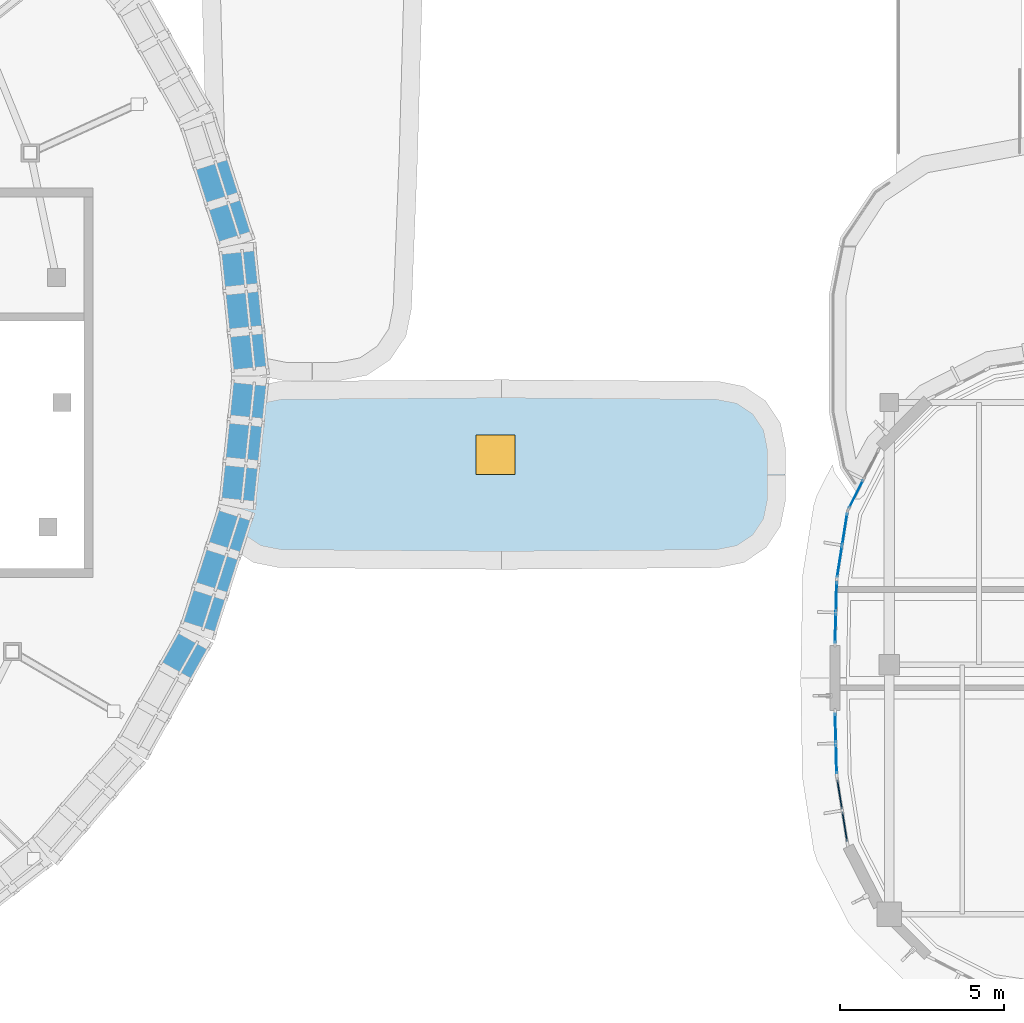
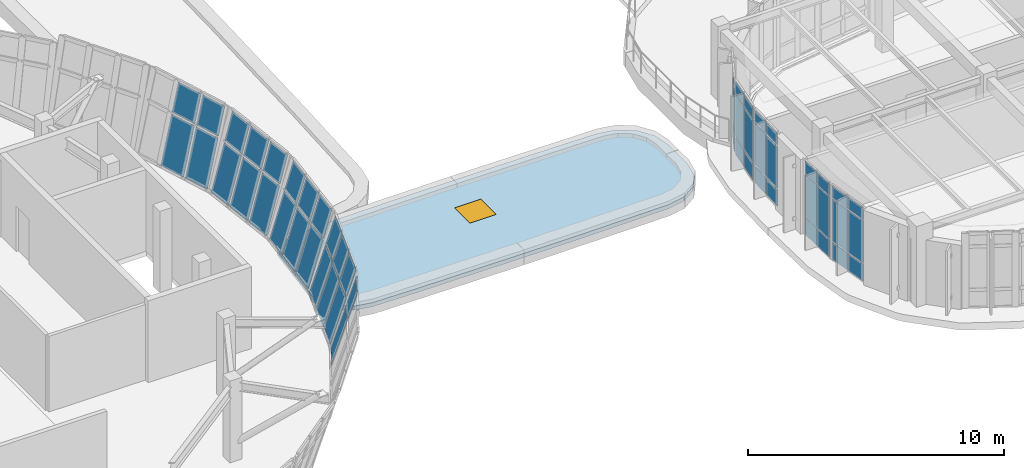
# One storey, part 64 of 111: 50 plates, 1 door, 1 slab, 1 opening, 10 elements without a shape of their own.
"""IFC4 building model written with IfcOpenShell, lengths in metres."""

from ifc_helpers import new_model, si_unit, direction, frame, origin, origin_2d, place, context, subcontext, project, spatial, polyline, rectangle, outline, extrude, material, layer, layer_set, type_object, element, fill, aggregate, save


model = new_model("IFC4")

# Units and contexts
model_context = context("Model", 3, precision=1e-05, world=origin(), true_north=direction((0.0, 1.0)))
body_context = subcontext(model_context, "Body", "Model", "MODEL_VIEW")
ifc_project = project(units=[si_unit("LENGTHUNIT", "METRE"), si_unit("AREAUNIT", "SQUARE_METRE"), si_unit("VOLUMEUNIT", "CUBIC_METRE"), si_unit("PLANEANGLEUNIT", "RADIAN"), si_unit("MASSUNIT", "GRAM", prefix="KILO")], contexts=[model_context])

# Site, building, storey
site_placement = place(None, origin())
site = spatial("IfcSite", under=ifc_project, at=site_placement, CompositionType="ELEMENT")
building_placement = place(site_placement, origin())
building = spatial("IfcBuilding", under=site, at=building_placement, Name="Corveleigh Park Community Centre", CompositionType="ELEMENT")
storey_placement = place(building_placement, frame((0.0, 0.0, 4.800048828125)))
storey = spatial("IfcBuildingStorey", under=building, at=storey_placement, Name="L01", CompositionType="ELEMENT", Elevation=4.800048828125)

# Curtain wall, plates
ifc_material_1 = material(Name="Anodised aluminium 6063-T6", Category="aluminium")
curtain_wall_type_1 = type_object("IfcCurtainWallType", Name="CW-SYS-V1-DRUM", PredefinedType="NOTDEFINED", material=ifc_material_1)
curtain_wall_1_placement = place(storey_placement, origin())
curtain_wall_1 = element("IfcCurtainWall", 1, at=curtain_wall_1_placement, inside=storey, type_object=curtain_wall_type_1, Name="Main Hall Flared Drum CW 162", PredefinedType="NOTDEFINED")
ifc_material_2 = material(Name="Low-E double glazing", Category="glass")
ifc_layer_1 = layer(ifc_material_2, 0.02392578125, Name="Low-E double glazing", Category="glass")
ifc_layer_set_1 = layer_set([ifc_layer_1], Name="Low-E double glazing")
plate_type_1 = type_object("IfcPlateType", Name="CWP-GLZ-24", PredefinedType="CURTAIN_PANEL", material=ifc_layer_set_1)
plate_1_placement = place(storey_placement, frame((52.01171875, 27.7138671875, 0.079833984375), z_axis=(-0.953739400317, -0.098496001427, 0.284041711701), x_axis=(-0.102727134425, 0.994709573621, 0.0)))
plate_1 = element("IfcPlate", 2, at=plate_1_placement, type_object=plate_type_1, Name="CW02 panel 1.1", PredefinedType="CURTAIN_PANEL", context=body_context, shape_type="SweptSolid", body=[
    extrude(outline(polyline([(0.0, 0.0), (1.1621541503486827, 0.0), (1.1622716513197366, -2.2216316874370996), (0.00011750097105400759, -2.221631687437099), (0.0, 0.0)])), origin(), (0.0, 0.0, -1.0), 0.02392578125),
])
plate_2_placement = place(storey_placement, frame((52.6630859375, 27.78125, 2.2900390625), z_axis=(-0.953718688024, -0.098695281337, 0.284042084127), x_axis=(-0.102934986728, 0.994688086039, 0.0)))
plate_2 = element("IfcPlate", 3, at=plate_2_placement, type_object=plate_type_1, Name="CW02 panel 1.2", PredefinedType="CURTAIN_PANEL", context=body_context, shape_type="SweptSolid", body=[
    extrude(outline(polyline([(0.0, 0.0), (1.1621792555883552, -6.938893903907228e-18), (1.162149252714852, -1.2952941770119886), (-3.0002873503331317e-05, -1.2952941770119886), (0.0, 0.0)])), origin(), (0.0, 0.0, -1.0), 0.02392578125),
])
plate_3_placement = place(storey_placement, frame((51.883544921875, 28.954345703125, 0.079833984375), z_axis=(-0.953716863449, -0.098713970381, 0.284041715994), x_axis=(-0.102954466897, 0.994686069947, 0.0)))
plate_3 = element("IfcPlate", 4, at=plate_3_placement, type_object=plate_type_1, Name="CW02 panel 2.1", PredefinedType="CURTAIN_PANEL", context=body_context, shape_type="SweptSolid", body=[
    extrude(outline(polyline([(0.0, 0.0), (1.2046435792192236, 0.0), (1.2046168605210676, -2.2216316903837154), (-2.6718698155986376e-05, -2.2216316903837154), (0.0, 0.0)])), origin(), (0.0, 0.0, -1.0), 0.02392578125),
])
plate_4_placement = place(storey_placement, frame((52.53466796875, 29.021728515625, 2.2900390625), z_axis=(-0.953736635819, -0.098521694042, 0.284042083678), x_axis=(-0.102753942538, 0.994706804688, 0.0)))
plate_4 = element("IfcPlate", 5, at=plate_4_placement, type_object=plate_type_1, Name="CW02 panel 2.2", PredefinedType="CURTAIN_PANEL", context=body_context, shape_type="SweptSolid", body=[
    extrude(outline(polyline([(0.0, 0.0), (1.2046184683291448, 0.0), (1.2046554299653953, -1.2952941768321105), (3.696163625066733e-05, -1.2952941768321105), (0.0, 0.0)])), origin(), (0.0, 0.0, -1.0), 0.02392578125),
])
plate_5_placement = place(storey_placement, frame((51.7509765625, 30.237060546875, 0.079833984375), z_axis=(-0.953741777221, -0.098617786217, 0.283991469281), x_axis=(-0.102860937652, 0.994695745791, -2.8455341e-05)))
plate_5 = element("IfcPlate", 6, at=plate_5_placement, type_object=plate_type_1, Name="CW02 panel 3.1", PredefinedType="CURTAIN_PANEL", context=body_context, shape_type="SweptSolid", body=[
    extrude(outline(polyline([(0.0, 0.0), (1.1619364062564184, 1.3877787807814457e-17), (1.161908409387203, -2.221631687317414), (-2.88433560903604e-06, -2.2215627219121084), (0.0, 0.0)])), origin(), (0.0, 0.0, -1.0), 0.02392578125),
])
plate_6_placement = place(storey_placement, frame((52.402099609375, 30.304443359375, 2.2900390625), z_axis=(-0.953716553352, -0.098715908564, 0.284042083606), x_axis=(-0.102956500033, 0.994685859506, 0.0)))
plate_6 = element("IfcPlate", 7, at=plate_6_placement, type_object=plate_type_1, Name="CW02 panel 3.2", PredefinedType="CURTAIN_PANEL", context=body_context, shape_type="SweptSolid", body=[
    extrude(outline(polyline([(0.0, 0.0), (1.1619364120891151, 0.0), (1.1618984518043052, -1.2952941768032287), (-3.7960284809813275e-05, -1.2952941768032287), (0.0, 0.0)])), origin(), (0.0, 0.0, -1.0), 0.02392578125),
])
aggregate(curtain_wall_1, [plate_1, plate_2, plate_3, plate_4, plate_5, plate_6])

curtain_wall_2_placement = place(storey_placement, origin())
curtain_wall_2 = element("IfcCurtainWall", 8, at=curtain_wall_2_placement, inside=storey, type_object=curtain_wall_type_1, Name="Main Hall Flared Drum CW 163", PredefinedType="NOTDEFINED")
plate_7_placement = place(storey_placement, frame((51.584716796875, 31.6162109375, 0.079833984375), z_axis=(-0.91358274066, -0.290990792821, 0.284061497675), x_axis=(-0.303495299185, 0.95283293567, -8.645417e-06)))
plate_7 = element("IfcPlate", 9, at=plate_7_placement, type_object=plate_type_1, Name="CW02 panel 1.1", PredefinedType="CURTAIN_PANEL", context=body_context, shape_type="SweptSolid", body=[
    extrude(outline(polyline([(0.0, 0.0), (1.1671205324939284, -1.3877787807814457e-17), (1.1672156255946384, -2.22165579414843), (-0.00013753212772509718, -2.221634744532334), (0.0, 0.0)])), origin(), (0.0, 0.0, -1.0), 0.02392578125),
])
plate_8_placement = place(storey_placement, frame((52.20849609375, 31.81494140625, 2.2900390625), z_axis=(-0.913582114977, -0.290990593531, 0.284063714104), x_axis=(-0.303495299223, 0.952832935658, -8.645479e-06)))
plate_8 = element("IfcPlate", 10, at=plate_8_placement, type_object=plate_type_1, Name="CW02 panel 1.2", PredefinedType="CURTAIN_PANEL", context=body_context, shape_type="SweptSolid", body=[
    extrude(outline(polyline([(0.0, 0.0), (1.167120532493929, -1.3877787807814457e-17), (1.1672509659155694, -1.2953133589600774), (-0.00010219180679168246, -1.295292309179739), (0.0, 0.0)])), origin(), (0.0, 0.0, -1.0), 0.02392578125),
])
plate_9_placement = place(storey_placement, frame((51.20458984375, 32.809326171875, 0.079833984375), z_axis=(-0.913562429727, -0.291039587865, 0.284076829902), x_axis=(-0.303545188238, 0.952817043665, 0.0)))
plate_9 = element("IfcPlate", 11, at=plate_9_placement, type_object=plate_type_1, Name="CW02 panel 2.1", PredefinedType="CURTAIN_PANEL", context=body_context, shape_type="SweptSolid", body=[
    extrude(outline(polyline([(0.0, 0.0), (1.209663385314955, 1.3877787807814457e-17), (1.2097438493399886, -2.2216557950104003), (8.046402503361638e-05, -2.2216557950104003), (0.0, 0.0)])), origin(), (0.0, 0.0, -1.0), 0.02392578125),
])
plate_10_placement = place(storey_placement, frame((51.828369140625, 33.008056640625, 2.2900390625), z_axis=(-0.913575045911, -0.29101278599, 0.284063714472), x_axis=(-0.303518359534, 0.952825590209, -8.342061e-06)))
plate_10 = element("IfcPlate", 12, at=plate_10_placement, type_object=plate_type_1, Name="CW02 panel 2.2", PredefinedType="CURTAIN_PANEL", context=body_context, shape_type="SweptSolid", body=[
    extrude(outline(polyline([(0.0, 0.0), (1.2096633847933402, 1.3877787807814457e-17), (1.2097852890809164, -1.2953133597907758), (-0.00011071914753318469, -1.2952923084788328), (0.0, 0.0)])), origin(), (0.0, 0.0, -1.0), 0.02392578125),
])
aggregate(curtain_wall_2, [plate_7, plate_8, plate_9, plate_10])

curtain_wall_3_placement = place(storey_placement, origin())
curtain_wall_3 = element("IfcCurtainWall", 13, at=curtain_wall_3_placement, inside=storey, type_object=curtain_wall_type_1, Name="Main Hall Flared Drum CW 191", PredefinedType="NOTDEFINED")
plate_11_placement = place(storey_placement, frame((49.79150390625, 18.8115234375, 0.079833984375), z_axis=(-0.836191551865, 0.469194712251, 0.283971848226), x_axis=(0.489349476617, 0.872087775544, 3.8473367e-05)))
plate_11 = element("IfcPlate", 14, at=plate_11_placement, type_object=plate_type_1, Name="CW02 panel 3.1", PredefinedType="CURTAIN_PANEL", context=body_context, shape_type="SweptSolid", body=[
    extrude(outline(polyline([(0.0, 0.0), (1.1761540065737517, 0.0), (1.176281228901461, -2.221536542736299), (3.378036019797014e-05, -2.221630933354547), (0.0, 0.0)])), origin(), (0.0, 0.0, -1.0), 0.02392578125),
])
plate_12_placement = place(storey_placement, frame((50.3623046875, 18.4912109375, 2.2900390625), z_axis=(-0.836161667619, 0.469177943927, 0.284087526191), x_axis=(0.489349484715, 0.872087771, 3.8487663e-05)))
plate_12 = element("IfcPlate", 15, at=plate_12_placement, type_object=plate_type_1, Name="CW02 panel 3.2", PredefinedType="CURTAIN_PANEL", context=body_context, shape_type="SweptSolid", body=[
    extrude(outline(polyline([(0.0, 0.0), (1.1761540065745233, 2.7755575615628914e-17), (1.1762693196681877, -1.2952651488235547), (2.187112923923678e-05, -1.2953595778924964), (0.0, 0.0)])), origin(), (0.0, 0.0, -1.0), 0.02392578125),
])
aggregate(curtain_wall_3, [plate_11, plate_12])

curtain_wall_4_placement = place(storey_placement, origin())
curtain_wall_4 = element("IfcCurtainWall", 16, at=curtain_wall_4_placement, inside=storey, type_object=curtain_wall_type_1, Name="Main Hall Flared Drum CW 192", PredefinedType="NOTDEFINED")
plate_13_placement = place(storey_placement, frame((50.457275390625, 20.044677734375, 0.079833984375), z_axis=(-0.913580893418, 0.291058530903, 0.283998033039), x_axis=(0.303565211231, 0.95281066419, 2.7129548e-05)))
plate_13 = element("IfcPlate", 17, at=plate_13_placement, type_object=plate_type_1, Name="CW02 panel 1.1", PredefinedType="CURTAIN_PANEL", context=body_context, shape_type="SweptSolid", body=[
    extrude(outline(polyline([(0.0, 0.0), (1.167427263856747, 0.0), (1.1675763592266168, -2.2215686734260984), (0.00022320797026809808, -2.221634735061402), (0.0, 0.0)])), origin(), (0.0, 0.0, -1.0), 0.02392578125),
])
plate_14_placement = place(storey_placement, frame((51.0810546875, 19.84619140625, 2.2900390625), z_axis=(-0.913524107745, 0.291172649423, 0.284063712568), x_axis=(0.303685178128, 0.952772434798, 8.650338e-06)))
plate_14 = element("IfcPlate", 18, at=plate_14_placement, type_object=plate_type_1, Name="CW02 panel 1.2", PredefinedType="CURTAIN_PANEL", context=body_context, shape_type="SweptSolid", body=[
    extrude(outline(polyline([(0.0, 0.0), (1.1671946579945935, 1.3877787807814457e-17), (1.1673701749283225, -1.2952923013187303), (-5.709352398539982e-05, -1.2953133642683015), (0.0, 0.0)])), origin(), (0.0, 0.0, -1.0), 0.02392578125),
])
plate_15_placement = place(storey_placement, frame((50.83740234375, 21.238037109375, 0.079833984375), z_axis=(-0.913575671718, 0.291012985336, 0.284061497586), x_axis=(0.303518359497, 0.95282559022, 8.342001e-06)))
plate_15 = element("IfcPlate", 19, at=plate_15_placement, type_object=plate_type_1, Name="CW02 panel 2.1", PredefinedType="CURTAIN_PANEL", context=body_context, shape_type="SweptSolid", body=[
    extrude(outline(polyline([(0.0, 0.0), (1.2096633847933393, -1.3877787807814457e-17), (1.209815543160153, -2.2216347435786954), (-8.046506829889841e-05, -2.2216557947263498), (0.0, 0.0)])), origin(), (0.0, 0.0, -1.0), 0.02392578125),
])
plate_16_placement = place(storey_placement, frame((51.461181640625, 21.039306640625, 2.2900390625), z_axis=(-0.913575045911, 0.29101278599, 0.284063714472), x_axis=(0.303518359534, 0.952825590209, 8.342061e-06)))
plate_16 = element("IfcPlate", 20, at=plate_16_placement, type_object=plate_type_1, Name="CW02 panel 2.2", PredefinedType="CURTAIN_PANEL", context=body_context, shape_type="SweptSolid", body=[
    extrude(outline(polyline([(0.0, 0.0), (1.2096633847933402, -1.3877787807814457e-17), (1.2097741039408736, -1.2952923084788328), (-0.00012190428757634829, -1.2953133597907758), (0.0, 0.0)])), origin(), (0.0, 0.0, -1.0), 0.02392578125),
])
plate_17_placement = place(storey_placement, frame((51.23046875, 22.4716796875, 0.079833984375), z_axis=(-0.91358274066, 0.290990792821, 0.284061497675), x_axis=(0.303495299185, 0.95283293567, 8.645417e-06)))
plate_17 = element("IfcPlate", 21, at=plate_17_placement, type_object=plate_type_1, Name="CW02 panel 3.1", PredefinedType="CURTAIN_PANEL", context=body_context, shape_type="SweptSolid", body=[
    extrude(outline(polyline([(0.0, 0.0), (1.1671205324939284, 1.3877787807814457e-17), (1.1672580646216537, -2.221634744532334), (-9.509310070999332e-05, -2.22165579414843), (0.0, 0.0)])), origin(), (0.0, 0.0, -1.0), 0.02392578125),
])
plate_18_placement = place(storey_placement, frame((51.854248046875, 22.27294921875, 2.2900390625), z_axis=(-0.913582114977, 0.290990593531, 0.284063714104), x_axis=(0.303495299223, 0.952832935658, 8.645479e-06)))
plate_18 = element("IfcPlate", 22, at=plate_18_placement, type_object=plate_type_1, Name="CW02 panel 3.2", PredefinedType="CURTAIN_PANEL", context=body_context, shape_type="SweptSolid", body=[
    extrude(outline(polyline([(0.0, 0.0), (1.167120532493929, 1.3877787807814457e-17), (1.1672227243007207, -1.295292309179739), (-0.00013043342164043817, -1.2953133589600774), (0.0, 0.0)])), origin(), (0.0, 0.0, -1.0), 0.02392578125),
])
aggregate(curtain_wall_4, [plate_13, plate_14, plate_15, plate_16, plate_17, plate_18])

curtain_wall_5_placement = place(storey_placement, origin())
curtain_wall_5 = element("IfcCurtainWall", 23, at=curtain_wall_5_placement, inside=storey, type_object=curtain_wall_type_1, Name="Main Hall Flared Drum CW 193", PredefinedType="NOTDEFINED")
plate_19_placement = place(storey_placement, frame((51.63134765625, 23.80712890625, 0.079833984375), z_axis=(-0.953741777221, 0.098617786217, 0.283991469281), x_axis=(0.102860937652, 0.994695745791, 2.8455341e-05)))
plate_19 = element("IfcPlate", 24, at=plate_19_placement, type_object=plate_type_1, Name="CW02 panel 1.1", PredefinedType="CURTAIN_PANEL", context=body_context, shape_type="SweptSolid", body=[
    extrude(outline(polyline([(0.0, 0.0), (1.1619364062564184, -1.3877787807814457e-17), (1.1619392905920274, -2.2215627219121084), (2.799686921559156e-05, -2.221631687317414), (0.0, 0.0)])), origin(), (0.0, 0.0, -1.0), 0.02392578125),
])
plate_20_placement = place(storey_placement, frame((52.282470703125, 23.73974609375, 2.2900390625), z_axis=(-0.953716553352, 0.098715908564, 0.284042083606), x_axis=(0.102956500033, 0.994685859506, 0.0)))
plate_20 = element("IfcPlate", 25, at=plate_20_placement, type_object=plate_type_1, Name="CW02 panel 1.2", PredefinedType="CURTAIN_PANEL", context=body_context, shape_type="SweptSolid", body=[
    extrude(outline(polyline([(0.0, 0.0), (1.1619364120891151, 0.0), (1.1619743723739249, -1.2952941768032287), (3.7960284809813275e-05, -1.2952941768032287), (0.0, 0.0)])), origin(), (0.0, 0.0, -1.0), 0.02392578125),
])
plate_21_placement = place(storey_placement, frame((51.759521484375, 25.047607421875, 0.079833984375), z_axis=(-0.953714803204, 0.098733874063, 0.284041715706), x_axis=(0.102975225581, 0.994683921111, 0.0)))
plate_21 = element("IfcPlate", 26, at=plate_21_placement, type_object=plate_type_1, Name="CW02 panel 2.1", PredefinedType="CURTAIN_PANEL", context=body_context, shape_type="SweptSolid", body=[
    extrude(outline(polyline([(0.0, 0.0), (1.2044007362027105, 0.0), (1.2044406243746828, -2.2216316901862974), (3.988817197209116e-05, -2.2216316901862974), (0.0, 0.0)])), origin(), (0.0, 0.0, -1.0), 0.02392578125),
])
plate_22_placement = place(storey_placement, frame((52.410888671875, 24.980224609375, 2.2900390625), z_axis=(-0.953734583321, 0.09854155976, 0.284042084168), x_axis=(0.102774661654, 0.99470466417, 0.0)))
plate_22 = element("IfcPlate", 27, at=plate_22_placement, type_object=plate_type_1, Name="CW02 panel 2.2", PredefinedType="CURTAIN_PANEL", context=body_context, shape_type="SweptSolid", body=[
    extrude(outline(polyline([(0.0, 0.0), (1.2043756202494236, 0.0), (1.2043463221225654, -1.2952941770281208), (-2.929812685823624e-05, -1.2952941770281208), (0.0, 0.0)])), origin(), (0.0, 0.0, -1.0), 0.02392578125),
])
plate_23_placement = place(storey_placement, frame((51.892333984375, 26.330078125, 0.079833984375), z_axis=(-0.953739400317, 0.098496001427, 0.284041711701), x_axis=(0.102727134425, 0.994709573621, 0.0)))
plate_23 = element("IfcPlate", 28, at=plate_23_placement, type_object=plate_type_1, Name="CW02 panel 3.1", PredefinedType="CURTAIN_PANEL", context=body_context, shape_type="SweptSolid", body=[
    extrude(outline(polyline([(0.0, 0.0), (1.1621541503486827, 0.0), (1.1620366493776288, -2.2216316874370996), (-0.00011750097105400759, -2.221631687437099), (0.0, 0.0)])), origin(), (0.0, 0.0, -1.0), 0.02392578125),
])
plate_24_placement = place(storey_placement, frame((52.54345703125, 26.2626953125, 2.2900390625), z_axis=(-0.953718688024, 0.098695281337, 0.284042084127), x_axis=(0.102934986728, 0.994688086039, 0.0)))
plate_24 = element("IfcPlate", 29, at=plate_24_placement, type_object=plate_type_1, Name="CW02 panel 3.2", PredefinedType="CURTAIN_PANEL", context=body_context, shape_type="SweptSolid", body=[
    extrude(outline(polyline([(0.0, 0.0), (1.1621792555883552, 6.938893903907228e-18), (1.1622092584618589, -1.2952941770119886), (3.0002873503331317e-05, -1.2952941770119886), (0.0, 0.0)])), origin(), (0.0, 0.0, -1.0), 0.02392578125),
])
aggregate(curtain_wall_5, [plate_19, plate_20, plate_21, plate_22, plate_23, plate_24])

curtain_wall_type_2 = type_object("IfcCurtainWallType", Name="CW-SYS-V3-UPP", PredefinedType="NOTDEFINED", material=ifc_material_1)
curtain_wall_6_placement = place(storey_placement, origin())
curtain_wall_6 = element("IfcCurtainWall", 30, at=curtain_wall_6_placement, inside=storey, type_object=curtain_wall_type_2, Name="V3 L01 Curtain Wall 253", PredefinedType="NOTDEFINED")
plate_25_placement = place(storey_placement, frame((70.98974609375, 24.00537109375, 0.070068359375), z_axis=(0.0, 0.0, 1.0), x_axis=(0.454217786228, 0.890890679418, 0.0)))
plate_25 = element("IfcPlate", 31, at=plate_25_placement, type_object=plate_type_1, Name="CW06 panel 1.1", PredefinedType="CURTAIN_PANEL", context=body_context, shape_type="SweptSolid", body=[
    extrude(rectangle(XDim=0.93603515625, YDim=0.02392578125, at=origin_2d()), origin(), (0.0, 0.0, 1.0), 0.794921875),
])
plate_26_placement = place(storey_placement, frame((70.98974609375, 24.00537109375, 0.93505859375), z_axis=(0.0, 0.0, 1.0), x_axis=(0.454217786228, 0.890890679418, 0.0)))
plate_26 = element("IfcPlate", 32, at=plate_26_placement, type_object=plate_type_1, Name="CW06 panel 1.2", PredefinedType="CURTAIN_PANEL", context=body_context, shape_type="SweptSolid", body=[
    extrude(rectangle(XDim=0.93603515625, YDim=0.02392578125, at=origin_2d()), origin(), (0.0, 0.0, 1.0), 1.991943359375),
])
aggregate(curtain_wall_6, [plate_25, plate_26])

curtain_wall_7_placement = place(storey_placement, origin())
curtain_wall_7 = element("IfcCurtainWall", 33, at=curtain_wall_7_placement, inside=storey, type_object=curtain_wall_type_2, Name="V3 L01 Curtain Wall 254", PredefinedType="NOTDEFINED")
plate_27_placement = place(storey_placement, frame((70.486572265625, 21.946044921875, 0.074951171875), z_axis=(0.0, 0.0, 1.0), x_axis=(0.156558061275, 0.987668756947, 0.0)))
plate_27 = element("IfcPlate", 34, at=plate_27_placement, type_object=plate_type_1, Name="CW06 panel 1.1", PredefinedType="CURTAIN_PANEL", context=body_context, shape_type="SweptSolid", body=[
    extrude(rectangle(XDim=0.937255859375, YDim=0.02392578125, at=origin_2d()), origin(), (0.0, 0.0, 1.0), 0.78759765625),
])
plate_28_placement = place(storey_placement, frame((70.486572265625, 21.946044921875, 0.9375), z_axis=(0.0, 0.0, 1.0), x_axis=(0.156558061275, 0.987668756947, 0.0)))
plate_28 = element("IfcPlate", 35, at=plate_28_placement, type_object=plate_type_1, Name="CW06 panel 1.2", PredefinedType="CURTAIN_PANEL", context=body_context, shape_type="SweptSolid", body=[
    extrude(rectangle(XDim=0.937255859375, YDim=0.02392578125, at=origin_2d()), origin(), (0.0, 0.0, 1.0), 1.987060546875),
])
plate_29_placement = place(storey_placement, frame((70.486572265625, 21.946044921875, 2.99951171875), z_axis=(0.0, 0.0, 1.0), x_axis=(0.156558061275, 0.987668756947, 0.0)))
plate_29 = element("IfcPlate", 36, at=plate_29_placement, type_object=plate_type_1, Name="CW06 panel 1.3", PredefinedType="CURTAIN_PANEL", context=body_context, shape_type="SweptSolid", body=[
    extrude(rectangle(XDim=0.937255859375, YDim=0.02392578125, at=origin_2d()), origin(), (0.0, 0.0, 1.0), 0.53759765625),
])
plate_30_placement = place(storey_placement, frame((70.6435546875, 22.93603515625, 0.074951171875), z_axis=(0.0, 0.0, 1.0), x_axis=(0.156558061275, 0.987668756947, 0.0)))
plate_30 = element("IfcPlate", 37, at=plate_30_placement, type_object=plate_type_1, Name="CW06 panel 2.1", PredefinedType="CURTAIN_PANEL", context=body_context, shape_type="SweptSolid", body=[
    extrude(rectangle(XDim=0.937255859375, YDim=0.02392578125, at=origin_2d()), origin(), (0.0, 0.0, 1.0), 0.78759765625),
])
plate_31_placement = place(storey_placement, frame((70.6435546875, 22.93603515625, 0.9375), z_axis=(0.0, 0.0, 1.0), x_axis=(0.156558061275, 0.987668756947, 0.0)))
plate_31 = element("IfcPlate", 38, at=plate_31_placement, type_object=plate_type_1, Name="CW06 panel 2.2", PredefinedType="CURTAIN_PANEL", context=body_context, shape_type="SweptSolid", body=[
    extrude(rectangle(XDim=0.937255859375, YDim=0.02392578125, at=origin_2d()), origin(), (0.0, 0.0, 1.0), 1.987060546875),
])
plate_32_placement = place(storey_placement, frame((70.6435546875, 22.93603515625, 2.99951171875), z_axis=(0.0, 0.0, 1.0), x_axis=(0.156558061275, 0.987668756947, 0.0)))
plate_32 = element("IfcPlate", 39, at=plate_32_placement, type_object=plate_type_1, Name="CW06 panel 2.3", PredefinedType="CURTAIN_PANEL", context=body_context, shape_type="SweptSolid", body=[
    extrude(rectangle(XDim=0.937255859375, YDim=0.02392578125, at=origin_2d()), origin(), (0.0, 0.0, 1.0), 0.53759765625),
])
aggregate(curtain_wall_7, [plate_27, plate_28, plate_29, plate_30, plate_31, plate_32])

curtain_wall_8_placement = place(storey_placement, origin())
curtain_wall_8 = element("IfcCurtainWall", 40, at=curtain_wall_8_placement, inside=storey, type_object=curtain_wall_type_2, Name="V3 L01 Curtain Wall 255", PredefinedType="NOTDEFINED")
ifc_layer_2 = layer(ifc_material_2, 0.028076171875, Name="Low-E double glazing", Category="glass")
ifc_layer_set_2 = layer_set([ifc_layer_2], Name="Low-E double glazing")
plate_type_2 = type_object("IfcPlateType", Name="CWP-GLZ-28", PredefinedType="CURTAIN_PANEL", material=ifc_layer_set_2)
plate_33_placement = place(storey_placement, frame((70.361572265625, 19.91943359375, 0.080078125), z_axis=(0.0, 0.0, 1.0), x_axis=(0.026360005464, 0.999652514683, 0.0)))
plate_33 = element("IfcPlate", 41, at=plate_33_placement, type_object=plate_type_2, Name="CW06 panel 1.1", PredefinedType="CURTAIN_PANEL", context=body_context, shape_type="SweptSolid", body=[
    extrude(rectangle(XDim=0.88134765625, YDim=0.028076171875, at=origin_2d()), origin(), (0.0, 0.0, 1.0), 0.780029296875),
])
plate_34_placement = place(storey_placement, frame((70.361572265625, 19.91943359375, 0.93994140625), z_axis=(0.0, 0.0, 1.0), x_axis=(0.026360005464, 0.999652514683, 0.0)))
plate_34 = element("IfcPlate", 42, at=plate_34_placement, type_object=plate_type_2, Name="CW06 panel 1.2", PredefinedType="CURTAIN_PANEL", context=body_context, shape_type="SweptSolid", body=[
    extrude(rectangle(XDim=0.88134765625, YDim=0.028076171875, at=origin_2d()), origin(), (0.0, 0.0, 1.0), 1.98193359375),
])
plate_35_placement = place(storey_placement, frame((70.361572265625, 19.91943359375, 3.001953125), z_axis=(0.0, 0.0, 1.0), x_axis=(0.026360005464, 0.999652514683, 0.0)))
plate_35 = element("IfcPlate", 43, at=plate_35_placement, type_object=plate_type_2, Name="CW06 panel 1.3", PredefinedType="CURTAIN_PANEL", context=body_context, shape_type="SweptSolid", body=[
    extrude(rectangle(XDim=0.88134765625, YDim=0.028076171875, at=origin_2d()), origin(), (0.0, 0.0, 1.0), 0.530029296875),
])
plate_36_placement = place(storey_placement, frame((70.386474609375, 20.87060546875, 0.080078125), z_axis=(0.0, 0.0, 1.0), x_axis=(0.026360005464, 0.999652514683, 0.0)))
plate_36 = element("IfcPlate", 44, at=plate_36_placement, type_object=plate_type_2, Name="CW06 panel 2.1", PredefinedType="CURTAIN_PANEL", context=body_context, shape_type="SweptSolid", body=[
    extrude(rectangle(XDim=0.88134765625, YDim=0.028076171875, at=origin_2d()), origin(), (0.0, 0.0, 1.0), 0.780029296875),
])
plate_37_placement = place(storey_placement, frame((70.386474609375, 20.87060546875, 0.93994140625), z_axis=(0.0, 0.0, 1.0), x_axis=(0.026360005464, 0.999652514683, 0.0)))
plate_37 = element("IfcPlate", 45, at=plate_37_placement, type_object=plate_type_2, Name="CW06 panel 2.2", PredefinedType="CURTAIN_PANEL", context=body_context, shape_type="SweptSolid", body=[
    extrude(rectangle(XDim=0.88134765625, YDim=0.028076171875, at=origin_2d()), origin(), (0.0, 0.0, 1.0), 1.98193359375),
])
plate_38_placement = place(storey_placement, frame((70.386474609375, 20.87060546875, 3.001953125), z_axis=(0.0, 0.0, 1.0), x_axis=(0.026360005464, 0.999652514683, 0.0)))
plate_38 = element("IfcPlate", 46, at=plate_38_placement, type_object=plate_type_2, Name="CW06 panel 2.3", PredefinedType="CURTAIN_PANEL", context=body_context, shape_type="SweptSolid", body=[
    extrude(rectangle(XDim=0.88134765625, YDim=0.028076171875, at=origin_2d()), origin(), (0.0, 0.0, 1.0), 0.530029296875),
])
aggregate(curtain_wall_8, [plate_33, plate_34, plate_35, plate_36, plate_37, plate_38])

curtain_wall_9_placement = place(storey_placement, origin())
curtain_wall_9 = element("IfcCurtainWall", 47, at=curtain_wall_9_placement, inside=storey, type_object=curtain_wall_type_2, Name="V3 L01 Curtain Wall 256", PredefinedType="NOTDEFINED")
plate_39_placement = place(storey_placement, frame((70.386474609375, 15.9306640625, 0.059814453125), z_axis=(0.0, 0.0, 1.0), x_axis=(-0.026360005464, 0.999652514683, 0.0)))
plate_39 = element("IfcPlate", 48, at=plate_39_placement, type_object=plate_type_2, Name="CW06 panel 1.1", PredefinedType="CURTAIN_PANEL", context=body_context, shape_type="SweptSolid", body=[
    extrude(rectangle(XDim=0.873779296875, YDim=0.028076171875, at=origin_2d()), origin(), (0.0, 0.0, 1.0), 0.81005859375),
])
plate_40_placement = place(storey_placement, frame((70.386474609375, 15.9306640625, 0.929931640625), z_axis=(0.0, 0.0, 1.0), x_axis=(-0.026360005464, 0.999652514683, 0.0)))
plate_40 = element("IfcPlate", 49, at=plate_40_placement, type_object=plate_type_2, Name="CW06 panel 1.2", PredefinedType="CURTAIN_PANEL", context=body_context, shape_type="SweptSolid", body=[
    extrude(rectangle(XDim=0.873779296875, YDim=0.028076171875, at=origin_2d()), origin(), (0.0, 0.0, 1.0), 2.001953125),
])
plate_41_placement = place(storey_placement, frame((70.386474609375, 15.9306640625, 2.991943359375), z_axis=(0.0, 0.0, 1.0), x_axis=(-0.026360005464, 0.999652514683, 0.0)))
plate_41 = element("IfcPlate", 50, at=plate_41_placement, type_object=plate_type_2, Name="CW06 panel 1.3", PredefinedType="CURTAIN_PANEL", context=body_context, shape_type="SweptSolid", body=[
    extrude(rectangle(XDim=0.873779296875, YDim=0.028076171875, at=origin_2d()), origin(), (0.0, 0.0, 1.0), 0.56005859375),
])
plate_42_placement = place(storey_placement, frame((70.361572265625, 16.879150390625, 0.059814453125), z_axis=(0.0, 0.0, 1.0), x_axis=(-0.026360005464, 0.999652514683, 0.0)))
plate_42 = element("IfcPlate", 51, at=plate_42_placement, type_object=plate_type_2, Name="CW06 panel 2.1", PredefinedType="CURTAIN_PANEL", context=body_context, shape_type="SweptSolid", body=[
    extrude(rectangle(XDim=0.873779296875, YDim=0.028076171875, at=origin_2d()), origin(), (0.0, 0.0, 1.0), 0.81005859375),
])
plate_43_placement = place(storey_placement, frame((70.361572265625, 16.879150390625, 0.929931640625), z_axis=(0.0, 0.0, 1.0), x_axis=(-0.026360005464, 0.999652514683, 0.0)))
plate_43 = element("IfcPlate", 52, at=plate_43_placement, type_object=plate_type_2, Name="CW06 panel 2.2", PredefinedType="CURTAIN_PANEL", context=body_context, shape_type="SweptSolid", body=[
    extrude(rectangle(XDim=0.873779296875, YDim=0.028076171875, at=origin_2d()), origin(), (0.0, 0.0, 1.0), 2.001953125),
])
plate_44_placement = place(storey_placement, frame((70.361572265625, 16.879150390625, 2.991943359375), z_axis=(0.0, 0.0, 1.0), x_axis=(-0.026360005464, 0.999652514683, 0.0)))
plate_44 = element("IfcPlate", 53, at=plate_44_placement, type_object=plate_type_2, Name="CW06 panel 2.3", PredefinedType="CURTAIN_PANEL", context=body_context, shape_type="SweptSolid", body=[
    extrude(rectangle(XDim=0.873779296875, YDim=0.028076171875, at=origin_2d()), origin(), (0.0, 0.0, 1.0), 0.56005859375),
])
aggregate(curtain_wall_9, [plate_39, plate_40, plate_41, plate_42, plate_43, plate_44])

curtain_wall_10_placement = place(storey_placement, origin())
curtain_wall_10 = element("IfcCurtainWall", 54, at=curtain_wall_10_placement, inside=storey, type_object=curtain_wall_type_2, Name="V3 L01 Curtain Wall 257", PredefinedType="NOTDEFINED")
ifc_layer_3 = layer(ifc_material_2, 0.031982421875, Name="Low-E double glazing", Category="glass")
ifc_layer_set_3 = layer_set([ifc_layer_3], Name="Low-E double glazing")
plate_type_3 = type_object("IfcPlateType", Name="CWP-GLZ-32", PredefinedType="CURTAIN_PANEL", material=ifc_layer_set_3)
plate_45_placement = place(storey_placement, frame((70.642822265625, 13.86767578125, 0.06494140625), z_axis=(0.0, 0.0, 1.0), x_axis=(-0.156558061275, 0.987668756947, 0.0)))
plate_45 = element("IfcPlate", 55, at=plate_45_placement, type_object=plate_type_3, Name="CW06 panel 1.1", PredefinedType="CURTAIN_PANEL", context=body_context, shape_type="SweptSolid", body=[
    extrude(rectangle(XDim=0.914794921875, YDim=0.031982421875, at=origin_2d()), origin(), (0.0, 0.0, 1.0), 0.802490234375),
])
plate_46_placement = place(storey_placement, frame((70.642822265625, 13.86767578125, 0.9326171875), z_axis=(0.0, 0.0, 1.0), x_axis=(-0.156558061275, 0.987668756947, 0.0)))
plate_46 = element("IfcPlate", 56, at=plate_46_placement, type_object=plate_type_3, Name="CW06 panel 1.2", PredefinedType="CURTAIN_PANEL", context=body_context, shape_type="SweptSolid", body=[
    extrude(rectangle(XDim=0.914794921875, YDim=0.031982421875, at=origin_2d()), origin(), (0.0, 0.0, 1.0), 2.0048828125),
])
plate_47_placement = place(storey_placement, frame((70.642822265625, 13.86767578125, 3.00244140625), z_axis=(0.0, 0.0, 1.0), x_axis=(-0.156558061275, 0.987668756947, 0.0)))
plate_47 = element("IfcPlate", 57, at=plate_47_placement, type_object=plate_type_3, Name="CW06 panel 1.3", PredefinedType="CURTAIN_PANEL", context=body_context, shape_type="SweptSolid", body=[
    extrude(rectangle(XDim=0.914794921875, YDim=0.031982421875, at=origin_2d()), origin(), (0.0, 0.0, 1.0), 0.552490234375),
])
plate_48_placement = place(storey_placement, frame((70.487060546875, 14.850341796875, 0.06494140625), z_axis=(0.0, 0.0, 1.0), x_axis=(-0.156558061275, 0.987668756947, 0.0)))
plate_48 = element("IfcPlate", 58, at=plate_48_placement, type_object=plate_type_3, Name="CW06 panel 2.1", PredefinedType="CURTAIN_PANEL", context=body_context, shape_type="SweptSolid", body=[
    extrude(rectangle(XDim=0.914794921875, YDim=0.031982421875, at=origin_2d()), origin(), (0.0, 0.0, 1.0), 0.802490234375),
])
plate_49_placement = place(storey_placement, frame((70.487060546875, 14.850341796875, 0.9326171875), z_axis=(0.0, 0.0, 1.0), x_axis=(-0.156558061275, 0.987668756947, 0.0)))
plate_49 = element("IfcPlate", 59, at=plate_49_placement, type_object=plate_type_3, Name="CW06 panel 2.2", PredefinedType="CURTAIN_PANEL", context=body_context, shape_type="SweptSolid", body=[
    extrude(rectangle(XDim=0.914794921875, YDim=0.031982421875, at=origin_2d()), origin(), (0.0, 0.0, 1.0), 2.0048828125),
])
plate_50_placement = place(storey_placement, frame((70.487060546875, 14.850341796875, 3.00244140625), z_axis=(0.0, 0.0, 1.0), x_axis=(-0.156558061275, 0.987668756947, 0.0)))
plate_50 = element("IfcPlate", 60, at=plate_50_placement, type_object=plate_type_3, Name="CW06 panel 2.3", PredefinedType="CURTAIN_PANEL", context=body_context, shape_type="SweptSolid", body=[
    extrude(rectangle(XDim=0.914794921875, YDim=0.031982421875, at=origin_2d()), origin(), (0.0, 0.0, 1.0), 0.552490234375),
])
aggregate(curtain_wall_10, [plate_45, plate_46, plate_47, plate_48, plate_49, plate_50])

# Slab, opening, door
ifc_material_3 = material(Name="Concrete C32/40", Category="concrete")
ifc_layer_4 = layer(ifc_material_3, 0.19189453125, Name="Concrete C32/40", Category="concrete")
ifc_layer_set_4 = layer_set([ifc_layer_4], Name="Concrete C32/40")
slab_type = type_object("IfcSlabType", Name="SLB-ROF-192", PredefinedType="ROOF", material=ifc_layer_set_4)
slab_placement = place(storey_placement, frame((0.0, 0.0, -0.192138671875)))
slab = element("IfcSlab", 61, at=slab_placement, inside=storey, type_object=slab_type, Name="Covered Passage South Canopy", PredefinedType="ROOF", context=body_context, shape_type="SweptSolid", body=[
    extrude(outline(polyline([(51.989990234375, 26.81005859375), (52.64501953125, 27.2470703125), (53.416015625, 27.39990234375), (57.8720703125, 27.4580078125), (64.555908203125, 27.43603515625), (66.783935546875, 27.39990234375), (67.554931640625, 27.2470703125), (68.2099609375, 26.81005859375), (68.64697265625, 26.155029296875), (68.800048828125, 25.384033203125), (68.801025390625, 24.861083984375), (68.800048828125, 23.81591796875), (68.64697265625, 23.044921875), (68.2099609375, 22.389892578125), (67.554931640625, 21.952880859375), (66.783935546875, 21.800048828125), (62.327880859375, 21.741943359375), (55.64404296875, 21.763916015625), (53.416015625, 21.800048828125), (52.64501953125, 21.952880859375), (51.989990234375, 22.389892578125), (51.552978515625, 23.044921875), (51.49609375, 23.333984375), (51.611083984375, 23.696044921875), (51.923095703125, 26.708984375), (51.989990234375, 26.81005859375)])), origin(), (0.0, 0.0, 1.0), 0.192138671875),
])
opening_placement = place(slab_placement, frame((60.0, 25.199951171875, -0.010009765625)))
opening = element("IfcOpeningElement", 62, at=opening_placement, cuts=slab, Name="Opening RH01", PredefinedType="OPENING", context=body_context, shape_type="SweptSolid", body=[
    extrude(rectangle(XDim=1.199951171875, YDim=1.199951171875, at=origin_2d()), origin(), (0.0, 0.0, 1.0), 0.212158203125),
])
door_type = type_object("IfcDoorType", Name="DR-HTC-1200x1200", OperationType="SINGLE_SWING_LEFT", PredefinedType="TRAPDOOR", material=ifc_material_1)
door_placement = place(opening_placement, frame((0.0, 0.0, 0.152099609375)))
door = element("IfcDoor", 63, at=door_placement, inside=storey, type_object=door_type, Name="Roof maintenance hatch 3", OperationType="SINGLE_SWING_LEFT", OverallHeight=1.199951171875, OverallWidth=1.199951171875, PredefinedType="TRAPDOOR", context=body_context, shape_type="SweptSolid", body=[
    extrude(rectangle(XDim=1.199951171875, YDim=1.199951171875, at=origin_2d()), origin(), (0.0, 0.0, 1.0), 0.050048828125),
])
fill(opening, door)

save(model, "model.ifc")
